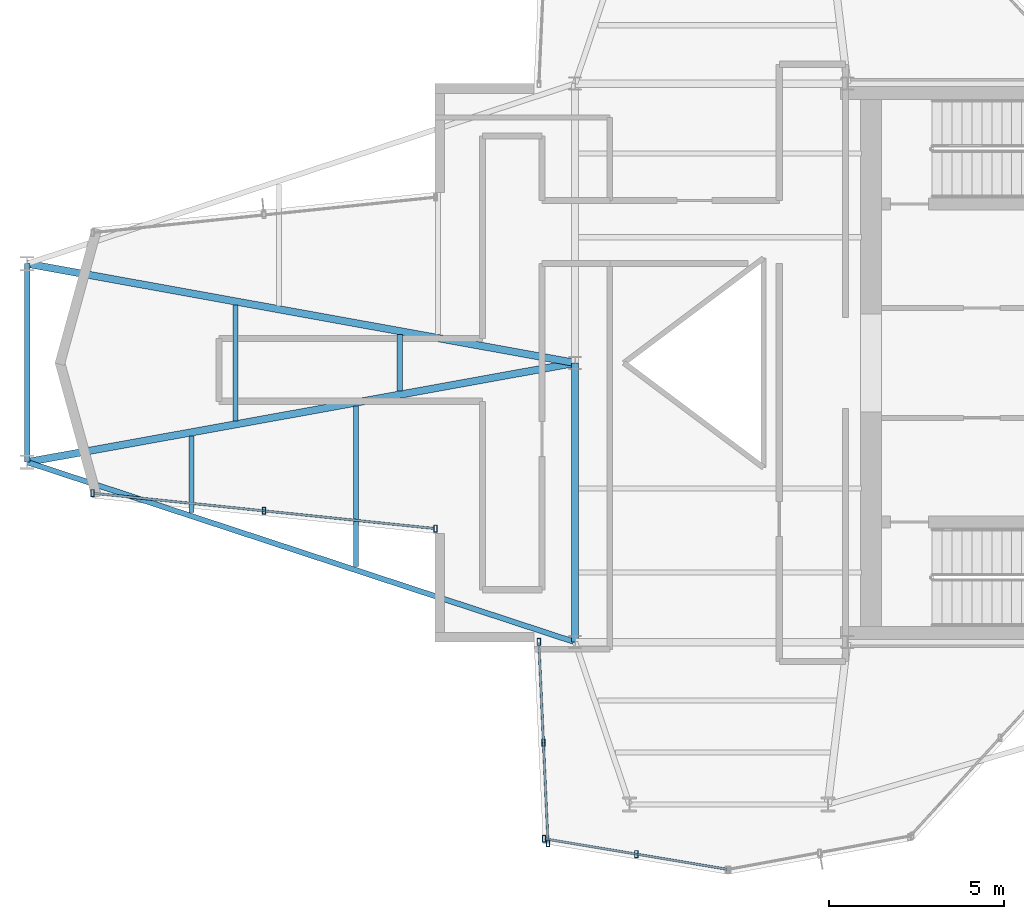
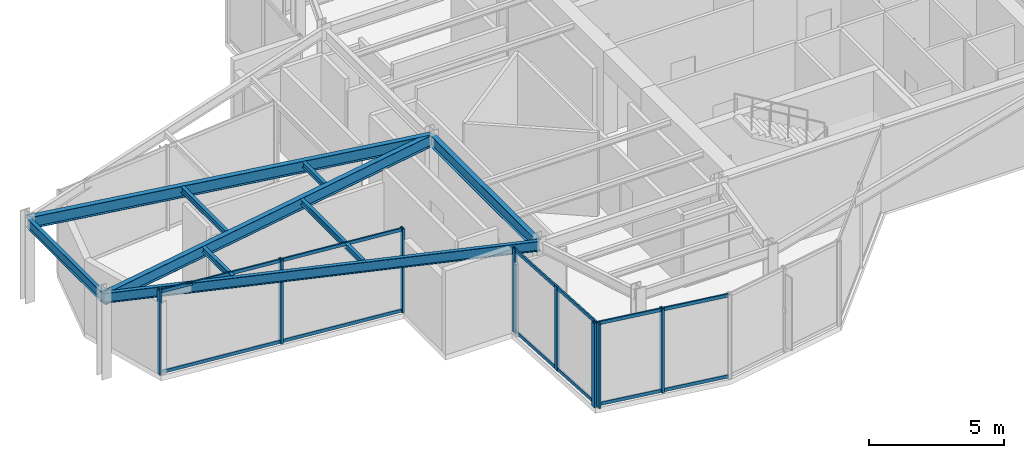
# One storey, part 2 of 14: 14 members, 9 beams, 3 elements without a shape of their own.
"""IFC4 building model written with IfcOpenShell, lengths in metres."""

from ifc_helpers import new_model, si_unit, direction, frame, origin, origin_2d, place, context, subcontext, project, spatial, hollow_rectangle, i_section, extrude, material, layer, layer_set, material_profile, profile_set, type_object, element, aggregate, save


model = new_model("IFC4")

# Units and contexts
model_context = context("Model", 3, precision=1e-05, world=origin(), true_north=direction((0.0, 1.0)))
body_context = subcontext(model_context, "Body", "Model", "MODEL_VIEW")
ifc_project = project(units=[si_unit("LENGTHUNIT", "METRE"), si_unit("AREAUNIT", "SQUARE_METRE"), si_unit("VOLUMEUNIT", "CUBIC_METRE"), si_unit("PLANEANGLEUNIT", "RADIAN"), si_unit("MASSUNIT", "GRAM", prefix="KILO")], contexts=[model_context])

# Site, building, storey
site_placement = place(None, origin())
site = spatial("IfcSite", under=ifc_project, at=site_placement, CompositionType="ELEMENT")
building_placement = place(site_placement, origin())
building = spatial("IfcBuilding", under=site, at=building_placement, Name="Veymaron Broadcast Tower", CompositionType="ELEMENT")
storey_placement = place(building_placement, frame((0.0, 0.0, 283.050048828125)))
storey = spatial("IfcBuildingStorey", under=building, at=storey_placement, Name="L66", CompositionType="ELEMENT", Elevation=283.050048828125)

# Beams
ifc_material_1 = material(Name="Structural steel ASTM A992 Gr 50", Category="steel")
ifc_material_profile_1 = material_profile(ifc_material_1, i_section(OverallWidth=0.208984375, OverallDepth=0.528076171875, WebThickness=0.009521484375, FlangeThickness=0.01318359375, at=origin_2d()), Name="W530X82")
ifc_profile_set_1 = profile_set([ifc_material_profile_1], Name="Structural steel ASTM A992 Gr 50")
beam_type_1 = type_object("IfcBeamType", Name="BM-FG4", PredefinedType="BEAM", material=ifc_profile_set_1)
beam_1_placement = place(storey_placement, frame((31.199951171875, 16.0, 3.5458984375), z_axis=(0.0, 1.0, 0.0), x_axis=(-1.0, 0.0, 0.0)))
element("IfcBeam", 1, at=beam_1_placement, inside=storey, type_object=beam_type_1, Name="L66 primary structural floor girder", PredefinedType="BEAM", context=body_context, shape_type="SweptSolid", body=[
    extrude(i_section(OverallWidth=0.208984375, OverallDepth=0.528076171875, WebThickness=0.009521484375, FlangeThickness=0.01318359375, at=origin_2d()), origin(), (0.0, 0.0, 1.0), 8.0),
])
for number, where, z_axis, x_axis, name in (
    (2, (15.50048828125, 21.157958984375, 3.5458984375), (0.984006484813, 0.178132641159, 0.0), (-0.178132641159, 0.984006484813, 0.0), "L66 primary structural floor girder"),
    (3, (15.50048828125, 26.842041015625, 3.5458984375), (0.984006484813, -0.178132641159, 0.0), (0.178132641159, 0.984006484813, 0.0), "L66 primary structural floor girder"),
):
    element("IfcBeam", number, at=place(storey_placement, frame(where, z_axis=z_axis, x_axis=x_axis)), inside=storey, type_object=beam_type_1, Name=name, PredefinedType="BEAM", context=body_context, shape_type="SweptSolid", body=[
        extrude(i_section(OverallWidth=0.208984375, OverallDepth=0.528076171875, WebThickness=0.009521484375, FlangeThickness=0.01318359375, at=origin_2d()), origin(), (0.0, 0.0, 1.0), 15.95458984375),
    ])
ifc_material_profile_2 = material_profile(ifc_material_1, i_section(OverallWidth=0.14599609375, OverallDepth=0.258056640625, WebThickness=0.006103515625, FlangeThickness=0.009033203125, at=origin_2d()), Name="W250X33")
ifc_profile_set_2 = profile_set([ifc_material_profile_2], Name="Structural steel ASTM A992 Gr 50")
beam_type_2 = type_object("IfcBeamType", Name="BM-JS4", PredefinedType="JOIST", material=ifc_profile_set_2)
beam_2_placement = place(storey_placement, frame((20.210205078125, 19.710693359375, 3.680908203125), z_axis=(0.0, 1.0, 0.0), x_axis=(-1.0, 0.0, 0.0)))
element("IfcBeam", 4, at=beam_2_placement, inside=storey, type_object=beam_type_2, Name="L66 Arm-A secondary joist 1S", PredefinedType="JOIST", context=body_context, shape_type="SweptSolid", body=[
    extrude(i_section(OverallWidth=0.14599609375, OverallDepth=0.258056640625, WebThickness=0.006103515625, FlangeThickness=0.009033203125, at=origin_2d()), origin(), (0.0, 0.0, 1.0), 2.199951171875),
])
beam_3_placement = place(storey_placement, frame((21.46630859375, 22.337890625, 3.680908203125), z_axis=(0.0, 1.0, 0.0), x_axis=(-1.0, 0.0, 0.0)))
element("IfcBeam", 5, at=beam_3_placement, inside=storey, type_object=beam_type_2, Name="L66 Arm-A secondary joist 1M", PredefinedType="JOIST", context=body_context, shape_type="SweptSolid", body=[
    extrude(i_section(OverallWidth=0.14599609375, OverallDepth=0.258056640625, WebThickness=0.006103515625, FlangeThickness=0.009033203125, at=origin_2d()), origin(), (0.0, 0.0, 1.0), 3.32421875),
])
beam_4_placement = place(storey_placement, frame((24.920166015625, 18.1630859375, 3.680908203125), z_axis=(0.0, 1.0, 0.0), x_axis=(-1.0, 0.0, 0.0)))
element("IfcBeam", 6, at=beam_4_placement, inside=storey, type_object=beam_type_2, Name="L66 Arm-A secondary joist 2S", PredefinedType="JOIST", context=body_context, shape_type="SweptSolid", body=[
    extrude(i_section(OverallWidth=0.14599609375, OverallDepth=0.258056640625, WebThickness=0.006103515625, FlangeThickness=0.009033203125, at=origin_2d()), origin(), (0.0, 0.0, 1.0), 4.60009765625),
])
beam_5_placement = place(storey_placement, frame((26.176025390625, 23.190673828125, 3.680908203125), z_axis=(0.0, 1.0, 0.0), x_axis=(-1.0, 0.0, 0.0)))
element("IfcBeam", 7, at=beam_5_placement, inside=storey, type_object=beam_type_2, Name="L66 Arm-A secondary joist 2M", PredefinedType="JOIST", context=body_context, shape_type="SweptSolid", body=[
    extrude(i_section(OverallWidth=0.14599609375, OverallDepth=0.258056640625, WebThickness=0.006103515625, FlangeThickness=0.009033203125, at=origin_2d()), origin(), (0.0, 0.0, 1.0), 1.61865234375),
])
ifc_material_profile_3 = material_profile(ifc_material_1, i_section(OverallWidth=0.154052734375, OverallDepth=0.458984375, WebThickness=0.009033203125, FlangeThickness=0.015380859375, at=origin_2d()), Name="W460X68")
ifc_profile_set_3 = profile_set([ifc_material_profile_3], Name="Structural steel ASTM A992 Gr 50")
beam_type_3 = type_object("IfcBeamType", Name="BM-SP2", PredefinedType="SPANDREL", material=ifc_profile_set_3)
beam_6_placement = place(storey_placement, frame((15.50048828125, 21.157958984375, 3.58056640625), z_axis=(0.950039572492, -0.31212947746, 0.0), x_axis=(0.31212947746, 0.950039572492, 0.0)))
element("IfcBeam", 8, at=beam_6_placement, inside=storey, type_object=beam_type_3, Name="L66 primary structural floor girder", PredefinedType="SPANDREL", context=body_context, shape_type="SweptSolid", body=[
    extrude(i_section(OverallWidth=0.154052734375, OverallDepth=0.458984375, WebThickness=0.009033203125, FlangeThickness=0.015380859375, at=origin_2d()), origin(), (0.0, 0.0, 1.0), 16.525146484375),
])
beam_7_placement = place(storey_placement, frame((15.50048828125, 21.157958984375, 3.58056640625), z_axis=(0.0, 1.0, 0.0), x_axis=(-1.0, 0.0, 0.0)))
element("IfcBeam", 9, at=beam_7_placement, inside=storey, type_object=beam_type_3, Name="L66 primary structural floor girder", PredefinedType="SPANDREL", context=body_context, shape_type="SweptSolid", body=[
    extrude(i_section(OverallWidth=0.154052734375, OverallDepth=0.458984375, WebThickness=0.009033203125, FlangeThickness=0.015380859375, at=origin_2d()), origin(), (0.0, 0.0, 1.0), 5.68408203125),
])

# Curtain wall, members
ifc_material_2 = material(Name="Anodised aluminium AA 6063-T6 and laminated low-E dark glass", Category="aluminium")
ifc_layer = layer(ifc_material_2, 0.179931640625)
ifc_layer_set = layer_set([ifc_layer], Name="Anodised aluminium AA 6063-T6 and laminated low-E dark glass")
curtain_wall_type = type_object("IfcCurtainWallType", Name="CW-SYS-06", PredefinedType="NOTDEFINED", material=ifc_layer_set)
curtain_wall_1_placement = place(storey_placement, origin())
curtain_wall_1 = element("IfcCurtainWall", 10, at=curtain_wall_1_placement, inside=storey, type_object=curtain_wall_type, Name="L66 dark-glass curtain wall CW-L66-E14-1", PredefinedType="NOTDEFINED")
ifc_material_3 = material(Name="Anodised aluminium AA 6063-T6", Category="aluminium")
ifc_material_profile_4 = material_profile(ifc_material_3, hollow_rectangle(XDim=0.10009765625, YDim=0.199951171875, WallThickness=0.010009765625, at=origin_2d()), Name="RHS200X100X10")
ifc_profile_set_4 = profile_set([ifc_material_profile_4], Name="Anodised aluminium AA 6063-T6")
member_type_1 = type_object("IfcMemberType", Name="CW-MUL-01", PredefinedType="MULLION", material=ifc_profile_set_4)
member_1_placement = place(storey_placement, frame((17.37451171875, 20.268798828125, 0.0), z_axis=(0.0, 0.0, 1.0), x_axis=(1.0, 0.0, 0.0)))
member_1 = element("IfcMember", 11, at=member_1_placement, type_object=member_type_1, Name="CW-L66-E14-1 mullion 0", PredefinedType="MULLION", context=body_context, shape_type="SweptSolid", body=[
    extrude(hollow_rectangle(XDim=0.10009765625, YDim=0.199951171875, WallThickness=0.010009765625, at=origin_2d()), origin(), (0.0, 0.0, 1.0), 3.81005859375),
])
member_2_placement = place(storey_placement, frame((22.287109375, 19.760986328125, 0.0), z_axis=(0.0, 0.0, 1.0), x_axis=(1.0, 0.0, 0.0)))
member_2 = element("IfcMember", 12, at=member_2_placement, type_object=member_type_1, Name="CW-L66-E14-1 mullion 1", PredefinedType="MULLION", context=body_context, shape_type="SweptSolid", body=[
    extrude(hollow_rectangle(XDim=0.10009765625, YDim=0.199951171875, WallThickness=0.010009765625, at=origin_2d()), origin(), (0.0, 0.0, 1.0), 3.81005859375),
])
member_3_placement = place(storey_placement, frame((27.199951171875, 19.25341796875, 0.0), z_axis=(0.0, 0.0, 1.0), x_axis=(1.0, 0.0, 0.0)))
member_3 = element("IfcMember", 13, at=member_3_placement, type_object=member_type_1, Name="CW-L66-E14-1 mullion 2", PredefinedType="MULLION", context=body_context, shape_type="SweptSolid", body=[
    extrude(hollow_rectangle(XDim=0.10009765625, YDim=0.199951171875, WallThickness=0.010009765625, at=origin_2d()), origin(), (0.0, 0.0, 1.0), 3.81005859375),
])

curtain_wall_2_placement = place(storey_placement, origin())
curtain_wall_2 = element("IfcCurtainWall", 14, at=curtain_wall_2_placement, inside=storey, type_object=curtain_wall_type, Name="L66 dark-glass curtain wall CW-L66-E17-1", PredefinedType="NOTDEFINED")
member_4_placement = place(storey_placement, frame((30.161865234375, 16.00634765625, 0.0), z_axis=(0.0, 0.0, 1.0), x_axis=(1.0, 0.0, 0.0)))
member_4 = element("IfcMember", 15, at=member_4_placement, type_object=member_type_1, Name="CW-L66-E17-1 mullion 0", PredefinedType="MULLION", context=body_context, shape_type="SweptSolid", body=[
    extrude(hollow_rectangle(XDim=0.10009765625, YDim=0.199951171875, WallThickness=0.010009765625, at=origin_2d()), origin(), (0.0, 0.0, 1.0), 3.81005859375),
])
member_5_placement = place(storey_placement, frame((30.293212890625, 13.121826171875, 0.0), z_axis=(0.0, 0.0, 1.0), x_axis=(1.0, 0.0, 0.0)))
member_5 = element("IfcMember", 16, at=member_5_placement, type_object=member_type_1, Name="CW-L66-E17-1 mullion 1", PredefinedType="MULLION", context=body_context, shape_type="SweptSolid", body=[
    extrude(hollow_rectangle(XDim=0.10009765625, YDim=0.199951171875, WallThickness=0.010009765625, at=origin_2d()), origin(), (0.0, 0.0, 1.0), 3.81005859375),
])
member_6_placement = place(storey_placement, frame((30.4248046875, 10.2373046875, 0.0), z_axis=(0.0, 0.0, 1.0), x_axis=(1.0, 0.0, 0.0)))
member_6 = element("IfcMember", 17, at=member_6_placement, type_object=member_type_1, Name="CW-L66-E17-1 mullion 2", PredefinedType="MULLION", context=body_context, shape_type="SweptSolid", body=[
    extrude(hollow_rectangle(XDim=0.10009765625, YDim=0.199951171875, WallThickness=0.010009765625, at=origin_2d()), origin(), (0.0, 0.0, 1.0), 3.81005859375),
])

curtain_wall_3_placement = place(storey_placement, origin())
curtain_wall_3 = element("IfcCurtainWall", 18, at=curtain_wall_3_placement, inside=storey, type_object=curtain_wall_type, Name="L66 dark-glass curtain wall CW-L66-E18-1", PredefinedType="NOTDEFINED")
member_7_placement = place(storey_placement, frame((30.307861328125, 10.368896484375, 0.0), z_axis=(0.0, 0.0, 1.0), x_axis=(1.0, 0.0, 0.0)))
member_7 = element("IfcMember", 19, at=member_7_placement, type_object=member_type_1, Name="CW-L66-E18-1 mullion 0", PredefinedType="MULLION", context=body_context, shape_type="SweptSolid", body=[
    extrude(hollow_rectangle(XDim=0.10009765625, YDim=0.199951171875, WallThickness=0.010009765625, at=origin_2d()), origin(), (0.0, 0.0, 1.0), 3.81005859375),
])
member_8_placement = place(storey_placement, frame((32.9560546875, 9.927001953125, 0.0), z_axis=(0.0, 0.0, 1.0), x_axis=(1.0, 0.0, 0.0)))
member_8 = element("IfcMember", 20, at=member_8_placement, type_object=member_type_1, Name="CW-L66-E18-1 mullion 1", PredefinedType="MULLION", context=body_context, shape_type="SweptSolid", body=[
    extrude(hollow_rectangle(XDim=0.10009765625, YDim=0.199951171875, WallThickness=0.010009765625, at=origin_2d()), origin(), (0.0, 0.0, 1.0), 3.81005859375),
])

# Member
ifc_material_profile_5 = material_profile(ifc_material_3, hollow_rectangle(XDim=0.06494140625, YDim=0.14990234375, WallThickness=0.00390625, at=origin_2d()), Name="AL150X65X4")
ifc_profile_set_5 = profile_set([ifc_material_profile_5], Name="Anodised aluminium AA 6063-T6")
member_type_2 = type_object("IfcMemberType", Name="CW-TRN-01", PredefinedType="USERDEFINED", material=ifc_profile_set_5)
member_9_placement = place(storey_placement, frame((17.424072265625, 20.263671875, 0.070068359375), z_axis=(0.994700162158, -0.10281822505, 0.0), x_axis=(0.10281822505, 0.994700162158, 0.0)))
member_9 = element("IfcMember", 21, at=member_9_placement, type_object=member_type_2, Name="CW-L66-E14-1 transom B", ObjectType="TRANSOM", PredefinedType="USERDEFINED", context=body_context, shape_type="SweptSolid", body=[
    extrude(hollow_rectangle(XDim=0.06494140625, YDim=0.14990234375, WallThickness=0.00390625, at=origin_2d()), origin(), (0.0, 0.0, 1.0), 9.778076171875),
])

member_10_placement = place(storey_placement, frame((17.424072265625, 20.263671875, 3.739990234375), z_axis=(0.994700162158, -0.10281822505, 0.0), x_axis=(0.10281822505, 0.994700162158, 0.0)))
member_10 = element("IfcMember", 22, at=member_10_placement, type_object=member_type_2, Name="CW-L66-E14-1 transom T", ObjectType="TRANSOM", PredefinedType="USERDEFINED", context=body_context, shape_type="SweptSolid", body=[
    extrude(hollow_rectangle(XDim=0.06494140625, YDim=0.14990234375, WallThickness=0.00390625, at=origin_2d()), origin(), (0.0, 0.0, 1.0), 9.778076171875),
])

aggregate(curtain_wall_1, [member_1, member_2, member_3, member_9, member_10])

member_11_placement = place(storey_placement, frame((30.164306640625, 15.95654296875, 0.070068359375), z_axis=(0.045470103559, -0.998965699953, 0.0), x_axis=(0.998965699953, 0.045470103559, 0.0)))
member_11 = element("IfcMember", 23, at=member_11_placement, type_object=member_type_2, Name="CW-L66-E17-1 transom B", ObjectType="TRANSOM", PredefinedType="USERDEFINED", context=body_context, shape_type="SweptSolid", body=[
    extrude(hollow_rectangle(XDim=0.06494140625, YDim=0.14990234375, WallThickness=0.00390625, at=origin_2d()), origin(), (0.0, 0.0, 1.0), 5.67529296875),
])

member_12_placement = place(storey_placement, frame((30.164306640625, 15.95654296875, 3.739990234375), z_axis=(0.045470103559, -0.998965699953, 0.0), x_axis=(0.998965699953, 0.045470103559, 0.0)))
member_12 = element("IfcMember", 24, at=member_12_placement, type_object=member_type_2, Name="CW-L66-E17-1 transom T", ObjectType="TRANSOM", PredefinedType="USERDEFINED", context=body_context, shape_type="SweptSolid", body=[
    extrude(hollow_rectangle(XDim=0.06494140625, YDim=0.14990234375, WallThickness=0.00390625, at=origin_2d()), origin(), (0.0, 0.0, 1.0), 5.67529296875),
])

aggregate(curtain_wall_2, [member_4, member_5, member_6, member_11, member_12])

member_13_placement = place(storey_placement, frame((30.357177734375, 10.360595703125, 0.070068359375), z_axis=(0.986358841104, -0.164609345347, 0.0), x_axis=(0.164609345347, 0.986358841104, 0.0)))
member_13 = element("IfcMember", 25, at=member_13_placement, type_object=member_type_2, Name="CW-L66-E18-1 transom B", ObjectType="TRANSOM", PredefinedType="USERDEFINED", context=body_context, shape_type="SweptSolid", body=[
    extrude(hollow_rectangle(XDim=0.06494140625, YDim=0.14990234375, WallThickness=0.00390625, at=origin_2d()), origin(), (0.0, 0.0, 1.0), 5.26953125),
])

member_14_placement = place(storey_placement, frame((30.357177734375, 10.360595703125, 3.739990234375), z_axis=(0.986358841104, -0.164609345347, 0.0), x_axis=(0.164609345347, 0.986358841104, 0.0)))
member_14 = element("IfcMember", 26, at=member_14_placement, type_object=member_type_2, Name="CW-L66-E18-1 transom T", ObjectType="TRANSOM", PredefinedType="USERDEFINED", context=body_context, shape_type="SweptSolid", body=[
    extrude(hollow_rectangle(XDim=0.06494140625, YDim=0.14990234375, WallThickness=0.00390625, at=origin_2d()), origin(), (0.0, 0.0, 1.0), 5.26953125),
])

aggregate(curtain_wall_3, [member_7, member_8, member_13, member_14])

save(model, "model.ifc")
